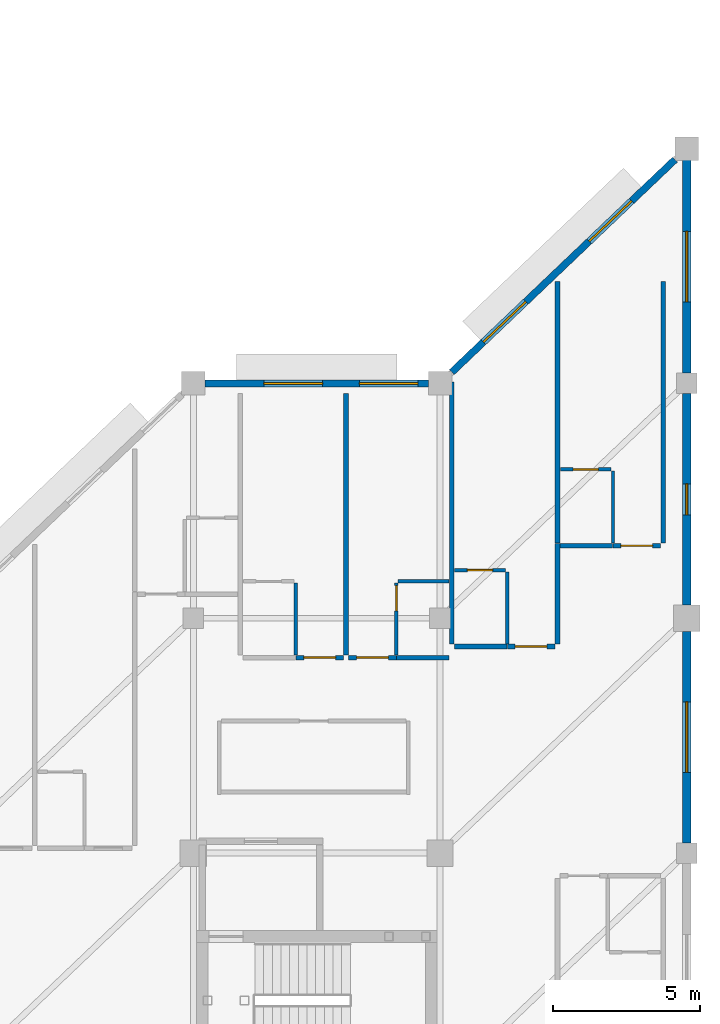
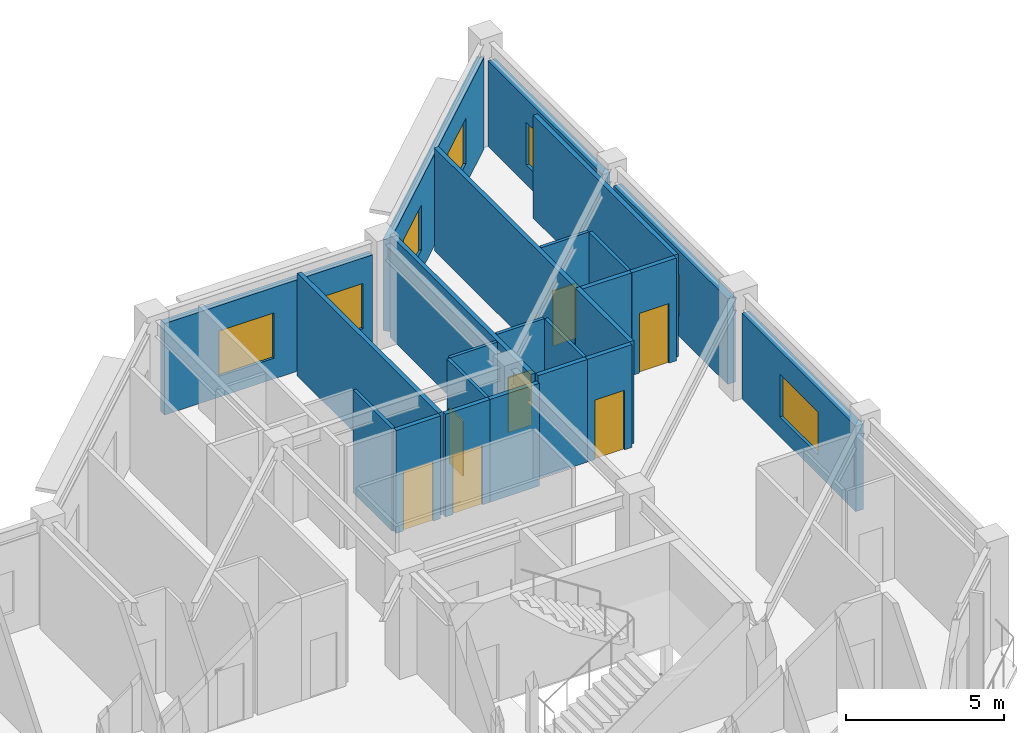
# One storey, part 16 of 22: 24 walls, 7 doors, 7 windows, 14 openings.
"""IFC4 building model written with IfcOpenShell, lengths in metres."""

from ifc_helpers import new_model, si_unit, direction, frame, frame_2d, origin, place, context, subcontext, project, spatial, rectangle, extrude, material, layer, layer_set, type_object, element, fill, save


model = new_model("IFC4")

# Units and contexts
model_context = context("Model", 3, precision=1e-05, world=origin(), true_north=direction((0.0, 1.0)))
body_context = subcontext(model_context, "Body", "Model", "MODEL_VIEW")
ifc_project = project(units=[si_unit("LENGTHUNIT", "METRE"), si_unit("AREAUNIT", "SQUARE_METRE"), si_unit("VOLUMEUNIT", "CUBIC_METRE"), si_unit("PLANEANGLEUNIT", "RADIAN"), si_unit("MASSUNIT", "GRAM", prefix="KILO")], contexts=[model_context])

# Site, building, storey
site_placement = place(None, origin())
site = spatial("IfcSite", under=ifc_project, at=site_placement, CompositionType="ELEMENT")
building_placement = place(site_placement, origin())
building = spatial("IfcBuilding", under=site, at=building_placement, Name="Naruveol Harbour Congress Hotel", CompositionType="ELEMENT")
storey_placement = place(building_placement, frame((0.0, 0.0, 21.0)))
storey = spatial("IfcBuildingStorey", under=building, at=storey_placement, Name="L04", CompositionType="ELEMENT", Elevation=21.0)

# Wall, opening, window
ifc_material_1 = material(Name="Precast concrete C40/50", Category="concrete")
ifc_layer_1 = layer(ifc_material_1, 0.280029296875)
ifc_layer_set_1 = layer_set([ifc_layer_1], Name="Precast concrete C40/50")
wall_type_1 = type_object("IfcWallType", Name="ARCHITECTURAL PRECAST FACADE WALL 280", PredefinedType="SOLIDWALL", material=ifc_layer_set_1)
wall_1_placement = place(storey_placement, frame((184.800048828125, 55.60009765625, 0.0), z_axis=(0.0, 0.0, 1.0), x_axis=(0.0, -1.0, 0.0)))
wall_1 = element("IfcWall", 1, at=wall_1_placement, inside=storey, type_object=wall_type_1, Name="Hotel east gable wall L04 EW-280", PredefinedType="SOLIDWALL", context=body_context, shape_type="SweptSolid", body=[
    extrude(rectangle(XDim=7.25, YDim=0.280029296875, at=frame_2d((3.625, 0.0))), origin(), (0.0, 0.0, 1.0), 3.300048828125),
])
opening_1_placement = place(wall_1_placement, frame((2.425048828125, 0.0, 0.75)))
opening_1 = element("IfcOpeningElement", 2, at=opening_1_placement, cuts=wall_1, Name="Opening W-07", PredefinedType="OPENING", context=body_context, shape_type="SweptSolid", body=[
    extrude(rectangle(XDim=2.39990234375, YDim=1.64990234375, at=frame_2d((1.199951171875, 0.824951171875))), frame((0.0, 0.14990234375, 0.0), z_axis=(0.0, -1.0, 0.0), x_axis=(1.0, 0.0, 0.0)), (0.0, 0.0, 1.0), 0.300048828125),
])
ifc_material_2 = material(Name="Low-E Triple Glazing in Thermal Aluminium", Category="aluminium")
window_type_1 = type_object("IfcWindowType", Name="CORNER SUITE WINDOW 2400X1650", PartitioningType="DOUBLE_PANEL_VERTICAL", PredefinedType="WINDOW", material=ifc_material_2)
window_1_placement = place(opening_1_placement, origin())
window_1 = element("IfcWindow", 3, at=window_1_placement, inside=storey, type_object=window_type_1, Name="Window W-07 #300", OverallHeight=1.64990234375, OverallWidth=2.39990234375, PartitioningType="DOUBLE_PANEL_VERTICAL", PredefinedType="WINDOW", context=body_context, shape_type="SweptSolid", body=[
    extrude(rectangle(XDim=2.39990234375, YDim=1.64990234375, at=frame_2d((1.199951171875, 0.824951171875))), frame((0.0, 0.030029296875, 0.0), z_axis=(0.0, -1.0, 0.0), x_axis=(1.0, 0.0, 0.0)), (0.0, 0.0, 1.0), 0.06005859375),
])
fill(opening_1, window_1)

wall_2_placement = place(storey_placement, frame((184.800048828125, 47.64990234375, 0.0), z_axis=(0.0, 0.0, 1.0), x_axis=(0.0, -1.0, 0.0)))
wall_2 = element("IfcWall", 4, at=wall_2_placement, inside=storey, type_object=wall_type_1, Name="Hotel east gable wall L04 EW-280", PredefinedType="SOLIDWALL", context=body_context, shape_type="SweptSolid", body=[
    extrude(rectangle(XDim=7.199951171875, YDim=0.280029296875, at=frame_2d((3.60009765625, 0.0))), origin(), (0.0, 0.0, 1.0), 3.300048828125),
])
opening_2_placement = place(wall_2_placement, frame((3.074951171875, 0.0, 0.75)))
opening_2 = element("IfcOpeningElement", 5, at=opening_2_placement, cuts=wall_2, Name="Opening W-26", PredefinedType="OPENING", context=body_context, shape_type="SweptSolid", body=[
    extrude(rectangle(XDim=1.050048828125, YDim=1.64990234375, at=frame_2d((0.52490234375, 0.824951171875))), frame((0.0, 0.14990234375, 0.0), z_axis=(0.0, -1.0, 0.0), x_axis=(1.0, 0.0, 0.0)), (0.0, 0.0, 1.0), 0.300048828125),
])
ifc_material_3 = material(Name="Low-E Triple Glazing in Thermal Aluminium", Category="aluminium")
window_type_2 = type_object("IfcWindowType", Name="CORRIDOR END VIEW WINDOW 1050X1650", PartitioningType="SINGLE_PANEL", PredefinedType="WINDOW", material=ifc_material_3)
window_2_placement = place(opening_2_placement, origin())
window_2 = element("IfcWindow", 6, at=window_2_placement, inside=storey, type_object=window_type_2, Name="Window W-26 #301", OverallHeight=1.64990234375, OverallWidth=1.050048828125, PartitioningType="SINGLE_PANEL", PredefinedType="WINDOW", context=body_context, shape_type="SweptSolid", body=[
    extrude(rectangle(XDim=1.050048828125, YDim=1.64990234375, at=frame_2d((0.52490234375, 0.824951171875))), frame((0.0, 0.030029296875, 0.0), z_axis=(0.0, -1.0, 0.0), x_axis=(1.0, 0.0, 0.0)), (0.0, 0.0, 1.0), 0.06005859375),
])
fill(opening_2, window_2)

wall_3_placement = place(storey_placement, frame((184.800048828125, 39.550048828125, 0.0), z_axis=(0.0, 0.0, 1.0), x_axis=(0.0, -1.0, 0.0)))
wall_3 = element("IfcWall", 7, at=wall_3_placement, inside=storey, type_object=wall_type_1, Name="Hotel east gable wall L04 EW-280", PredefinedType="SOLIDWALL", context=body_context, shape_type="SweptSolid", body=[
    extrude(rectangle(XDim=7.199951171875, YDim=0.280029296875, at=frame_2d((3.60009765625, 0.0))), origin(), (0.0, 0.0, 1.0), 3.300048828125),
])
opening_3_placement = place(wall_3_placement, frame((2.39990234375, 0.0, 0.75)))
opening_3 = element("IfcOpeningElement", 8, at=opening_3_placement, cuts=wall_3, Name="Opening W-07", PredefinedType="OPENING", context=body_context, shape_type="SweptSolid", body=[
    extrude(rectangle(XDim=2.39990234375, YDim=1.64990234375, at=frame_2d((1.199951171875, 0.824951171875))), frame((0.0, 0.14990234375, 0.0), z_axis=(0.0, -1.0, 0.0), x_axis=(1.0, 0.0, 0.0)), (0.0, 0.0, 1.0), 0.300048828125),
])
window_3_placement = place(opening_3_placement, origin())
window_3 = element("IfcWindow", 9, at=window_3_placement, inside=storey, type_object=window_type_1, Name="Window W-07 #302", OverallHeight=1.64990234375, OverallWidth=2.39990234375, PartitioningType="DOUBLE_PANEL_VERTICAL", PredefinedType="WINDOW", context=body_context, shape_type="SweptSolid", body=[
    extrude(rectangle(XDim=2.39990234375, YDim=1.64990234375, at=frame_2d((1.199951171875, 0.824951171875))), frame((0.0, 0.030029296875, 0.0), z_axis=(0.0, -1.0, 0.0), x_axis=(1.0, 0.0, 0.0)), (0.0, 0.0, 1.0), 0.06005859375),
])
fill(opening_3, window_3)

# Wall
ifc_material_4 = material(Name="Moisture-Resistant Gypsum Partition", Category="gypsum")
ifc_layer_2 = layer(ifc_material_4, 0.114990234375)
ifc_layer_set_2 = layer_set([ifc_layer_2], Name="Moisture-Resistant Gypsum Partition")
wall_type_2 = type_object("IfcWallType", Name="BATHROOM MOISTURE PARTITION WALL 115", PredefinedType="PARTITIONING", material=ifc_layer_set_2)
wall_4_placement = place(storey_placement, frame((171.489990234375, 38.75, 0.0), z_axis=(0.0, 0.0, 1.0), x_axis=(0.0, 1.0, 0.0)))
element("IfcWall", 10, at=wall_4_placement, inside=storey, type_object=wall_type_2, Name="Bathroom east wall 0511 PW-115", PredefinedType="PARTITIONING", context=body_context, shape_type="SweptSolid", body=[
    extrude(rectangle(XDim=2.449951171875, YDim=0.114990234375, at=frame_2d((1.22509765625, 0.0))), origin(), (0.0, 0.0, 1.0), 3.965087890625),
])

# Wall, opening, door
wall_5_placement = place(storey_placement, frame((174.909912109375, 38.75, 0.0), z_axis=(0.0, 0.0, 1.0), x_axis=(0.0, 1.0, 0.0)))
wall_5 = element("IfcWall", 11, at=wall_5_placement, inside=storey, type_object=wall_type_2, Name="Bathroom west wall 0512 PW-115", PredefinedType="PARTITIONING", context=body_context, shape_type="SweptSolid", body=[
    extrude(rectangle(XDim=2.449951171875, YDim=0.114990234375, at=frame_2d((1.22509765625, 0.0))), origin(), (0.0, 0.0, 1.0), 3.965087890625),
])
opening_4_placement = place(wall_5_placement, frame((1.5, 0.0, 0.0)))
opening_4 = element("IfcOpeningElement", 12, at=opening_4_placement, cuts=wall_5, Name="Opening BD-RM0512", PredefinedType="OPENING", context=body_context, shape_type="SweptSolid", body=[
    extrude(rectangle(XDim=0.860107421875, YDim=2.1201171875, at=frame_2d((0.43017578125, 1.06005859375))), frame((0.0, 0.0673828125, 0.0), z_axis=(0.0, -1.0, 0.0), x_axis=(1.0, 0.0, 0.0)), (0.0, 0.0, 1.0), 0.135009765625),
])
ifc_material_5 = material(Name="Timber & Steel Acoustic Leaf", Category="steel")
door_type_1 = type_object("IfcDoorType", Name="GUEST BATHROOM DOOR 860X2120", OperationType="NOTDEFINED", PredefinedType="DOOR", material=ifc_material_5)
door_1_placement = place(opening_4_placement, origin())
door_1 = element("IfcDoor", 13, at=door_1_placement, inside=storey, type_object=door_type_1, Name="Bathroom Door 0512", OperationType="SINGLE_SWING_RIGHT", OverallHeight=2.1201171875, OverallWidth=0.860107421875, PredefinedType="DOOR", context=body_context, shape_type="SweptSolid", body=[
    extrude(rectangle(XDim=0.860107421875, YDim=2.1201171875, at=frame_2d((0.43017578125, 1.06005859375))), frame((0.0, 0.02490234375, 0.0), z_axis=(0.0, -1.0, 0.0), x_axis=(1.0, 0.0, 0.0)), (0.0, 0.0, 1.0), 0.050048828125),
])
fill(opening_4, door_1)

# Walls
wall_6_placement = place(storey_placement, frame((174.969970703125, 41.260009765625, 0.0), z_axis=(0.0, 0.0, 1.0), x_axis=(1.0, 0.0, 0.0)))
element("IfcWall", 14, at=wall_6_placement, inside=storey, type_object=wall_type_2, Name="Bathroom north wall 0512 PW-115", PredefinedType="PARTITIONING", context=body_context, shape_type="SweptSolid", body=[
    extrude(rectangle(XDim=1.72998046875, YDim=0.114990234375, at=frame_2d((0.864990234375, 0.0))), origin(), (0.0, 0.0, 1.0), 3.965087890625),
])
wall_7_placement = place(storey_placement, frame((178.68994140625, 39.1298828125, 0.0), z_axis=(0.0, 0.0, 1.0), x_axis=(0.0, 1.0, 0.0)))
element("IfcWall", 15, at=wall_7_placement, inside=storey, type_object=wall_type_2, Name="Bathroom east wall 0513 PW-115", PredefinedType="PARTITIONING", context=body_context, shape_type="SweptSolid", body=[
    extrude(rectangle(XDim=2.4501953125, YDim=0.114990234375, at=frame_2d((1.22509765625, 0.0))), origin(), (0.0, 0.0, 1.0), 3.965087890625),
])

# Wall, opening, door
wall_8_placement = place(storey_placement, frame((176.89990234375, 41.639892578125, 0.0), z_axis=(0.0, 0.0, 1.0), x_axis=(1.0, 0.0, 0.0)))
wall_8 = element("IfcWall", 16, at=wall_8_placement, inside=storey, type_object=wall_type_2, Name="Bathroom north wall 0513 PW-115", PredefinedType="PARTITIONING", context=body_context, shape_type="SweptSolid", body=[
    extrude(rectangle(XDim=1.72998046875, YDim=0.114990234375, at=frame_2d((0.864990234375, 0.0))), origin(), (0.0, 0.0, 1.0), 3.965087890625),
])
opening_5_placement = place(wall_8_placement, frame((0.43505859375, 0.0, 0.0)))
opening_5 = element("IfcOpeningElement", 17, at=opening_5_placement, cuts=wall_8, Name="Opening BD-RM0513", PredefinedType="OPENING", context=body_context, shape_type="SweptSolid", body=[
    extrude(rectangle(XDim=0.860107421875, YDim=2.1201171875, at=frame_2d((0.43017578125, 1.06005859375))), frame((0.0, 0.0673828125, 0.0), z_axis=(0.0, -1.0, 0.0), x_axis=(1.0, 0.0, 0.0)), (0.0, 0.0, 1.0), 0.135009765625),
])
door_2_placement = place(opening_5_placement, origin())
door_2 = element("IfcDoor", 18, at=door_2_placement, inside=storey, type_object=door_type_1, Name="Bathroom Door 0513", OperationType="SINGLE_SWING_RIGHT", OverallHeight=2.1201171875, OverallWidth=0.860107421875, PredefinedType="DOOR", context=body_context, shape_type="SweptSolid", body=[
    extrude(rectangle(XDim=0.860107421875, YDim=2.1201171875, at=frame_2d((0.43017578125, 1.06005859375))), frame((0.0, 0.02490234375, 0.0), z_axis=(0.0, -1.0, 0.0), x_axis=(1.0, 0.0, 0.0)), (0.0, 0.0, 1.0), 0.050048828125),
])
fill(opening_5, door_2)

# Wall
wall_9_placement = place(storey_placement, frame((182.2900390625, 42.56005859375, 0.0), z_axis=(0.0, 0.0, 1.0), x_axis=(0.0, 1.0, 0.0)))
element("IfcWall", 19, at=wall_9_placement, inside=storey, type_object=wall_type_2, Name="Bathroom east wall 0514 PW-115", PredefinedType="PARTITIONING", context=body_context, shape_type="SweptSolid", body=[
    extrude(rectangle(XDim=2.449951171875, YDim=0.114990234375, at=frame_2d((1.22509765625, 0.0))), origin(), (0.0, 0.0, 1.0), 3.965087890625),
])

# Wall, opening, door
wall_10_placement = place(storey_placement, frame((180.5, 45.070068359375, 0.0), z_axis=(0.0, 0.0, 1.0), x_axis=(1.0, 0.0, 0.0)))
wall_10 = element("IfcWall", 20, at=wall_10_placement, inside=storey, type_object=wall_type_2, Name="Bathroom north wall 0514 PW-115", PredefinedType="PARTITIONING", context=body_context, shape_type="SweptSolid", body=[
    extrude(rectangle(XDim=1.72998046875, YDim=0.114990234375, at=frame_2d((0.864990234375, 0.0))), origin(), (0.0, 0.0, 1.0), 3.965087890625),
])
opening_6_placement = place(wall_10_placement, frame((0.43505859375, 0.0, 0.0)))
opening_6 = element("IfcOpeningElement", 21, at=opening_6_placement, cuts=wall_10, Name="Opening BD-RM0514", PredefinedType="OPENING", context=body_context, shape_type="SweptSolid", body=[
    extrude(rectangle(XDim=0.860107421875, YDim=2.1201171875, at=frame_2d((0.43017578125, 1.06005859375))), frame((0.0, 0.0673828125, 0.0), z_axis=(0.0, -1.0, 0.0), x_axis=(1.0, 0.0, 0.0)), (0.0, 0.0, 1.0), 0.135009765625),
])
door_3_placement = place(opening_6_placement, origin())
door_3 = element("IfcDoor", 22, at=door_3_placement, inside=storey, type_object=door_type_1, Name="Bathroom Door 0514", OperationType="SINGLE_SWING_RIGHT", OverallHeight=2.1201171875, OverallWidth=0.860107421875, PredefinedType="DOOR", context=body_context, shape_type="SweptSolid", body=[
    extrude(rectangle(XDim=0.860107421875, YDim=2.1201171875, at=frame_2d((0.43017578125, 1.06005859375))), frame((0.0, 0.02490234375, 0.0), z_axis=(0.0, -1.0, 0.0), x_axis=(1.0, 0.0, 0.0)), (0.0, 0.0, 1.0), 0.050048828125),
])
fill(opening_6, door_3)

ifc_material_6 = material(Name="Autoclaved Aerated Concrete Block", Category="concrete")
ifc_layer_3 = layer(ifc_material_6, 0.159912109375)
ifc_layer_set_3 = layer_set([ifc_layer_3], Name="Autoclaved Aerated Concrete Block")
wall_type_3 = type_object("IfcWallType", Name="HOTEL PARTY AND CORRIDOR WALL 160 EI60", PredefinedType="PARTITIONING", material=ifc_layer_set_3)
wall_11_placement = place(storey_placement, frame((171.489990234375, 38.659912109375, 0.0), z_axis=(0.0, 0.0, 1.0), x_axis=(1.0, 0.0, 0.0)))
wall_11 = element("IfcWall", 23, at=wall_11_placement, inside=storey, type_object=wall_type_3, Name="Corridor entry wall 0511 PW-160", PredefinedType="PARTITIONING", context=body_context, shape_type="SweptSolid", body=[
    extrude(rectangle(XDim=1.6201171875, YDim=0.159912109375, at=frame_2d((0.81005859375, 0.0))), origin(), (0.0, 0.0, 1.0), 3.965087890625),
])
opening_7_placement = place(wall_11_placement, frame((0.27001953125, 0.0, 0.0)))
opening_7 = element("IfcOpeningElement", 24, at=opening_7_placement, cuts=wall_11, Name="Opening FD-RM0511", PredefinedType="OPENING", context=body_context, shape_type="SweptSolid", body=[
    extrude(rectangle(XDim=1.080078125, YDim=2.300048828125, at=frame_2d((0.5400390625, 1.14990234375))), frame((0.0, 0.08984375, 0.0), z_axis=(0.0, -1.0, 0.0), x_axis=(1.0, 0.0, 0.0)), (0.0, 0.0, 1.0), 0.179931640625),
])
ifc_material_7 = material(Name="Timber & Steel Acoustic Leaf", Category="steel")
door_type_2 = type_object("IfcDoorType", Name="SUITE ENTRANCE FIRE DOOR 1080X2300", OperationType="NOTDEFINED", PredefinedType="DOOR", material=ifc_material_7)
door_4_placement = place(opening_7_placement, origin())
door_4 = element("IfcDoor", 25, at=door_4_placement, inside=storey, type_object=door_type_2, Name="Hotel Room Door 0511", OperationType="SINGLE_SWING_LEFT", OverallHeight=2.300048828125, OverallWidth=1.080078125, PredefinedType="DOOR", context=body_context, shape_type="SweptSolid", body=[
    extrude(rectangle(XDim=1.080078125, YDim=2.300048828125, at=frame_2d((0.5400390625, 1.14990234375))), frame((0.0, 0.02490234375, 0.0), z_axis=(0.0, -1.0, 0.0), x_axis=(1.0, 0.0, 0.0)), (0.0, 0.0, 1.0), 0.050048828125),
])
fill(opening_7, door_4)

wall_12_placement = place(storey_placement, frame((173.2900390625, 38.659912109375, 0.0), z_axis=(0.0, 0.0, 1.0), x_axis=(1.0, 0.0, 0.0)))
wall_12 = element("IfcWall", 26, at=wall_12_placement, inside=storey, type_object=wall_type_3, Name="Corridor entry wall 0512 PW-160", PredefinedType="PARTITIONING", context=body_context, shape_type="SweptSolid", body=[
    extrude(rectangle(XDim=1.619873046875, YDim=0.159912109375, at=frame_2d((0.81005859375, 0.0))), origin(), (0.0, 0.0, 1.0), 3.965087890625),
])
opening_8_placement = place(wall_12_placement, frame((0.27001953125, 0.0, 0.0)))
opening_8 = element("IfcOpeningElement", 27, at=opening_8_placement, cuts=wall_12, Name="Opening FD-RM0512", PredefinedType="OPENING", context=body_context, shape_type="SweptSolid", body=[
    extrude(rectangle(XDim=1.080078125, YDim=2.300048828125, at=frame_2d((0.5400390625, 1.14990234375))), frame((0.0, 0.08984375, 0.0), z_axis=(0.0, -1.0, 0.0), x_axis=(1.0, 0.0, 0.0)), (0.0, 0.0, 1.0), 0.179931640625),
])
door_5_placement = place(opening_8_placement, origin())
door_5 = element("IfcDoor", 28, at=door_5_placement, inside=storey, type_object=door_type_2, Name="Hotel Room Door 0512", OperationType="SINGLE_SWING_LEFT", OverallHeight=2.300048828125, OverallWidth=1.080078125, PredefinedType="DOOR", context=body_context, shape_type="SweptSolid", body=[
    extrude(rectangle(XDim=1.080078125, YDim=2.300048828125, at=frame_2d((0.5400390625, 1.14990234375))), frame((0.0, 0.02490234375, 0.0), z_axis=(0.0, -1.0, 0.0), x_axis=(1.0, 0.0, 0.0)), (0.0, 0.0, 1.0), 0.050048828125),
])
fill(opening_8, door_5)

# Walls
wall_13_placement = place(storey_placement, frame((174.919921875, 38.659912109375, 0.0), z_axis=(0.0, 0.0, 1.0), x_axis=(1.0, 0.0, 0.0)))
element("IfcWall", 29, at=wall_13_placement, inside=storey, type_object=wall_type_3, Name="Corridor wall 0512B PW-160", PredefinedType="PARTITIONING", context=body_context, shape_type="SweptSolid", body=[
    extrude(rectangle(XDim=1.7900390625, YDim=0.159912109375, at=frame_2d((0.89501953125, 0.0))), origin(), (0.0, 0.0, 1.0), 3.965087890625),
])
wall_14_placement = place(storey_placement, frame((173.199951171875, 38.75, 0.0), z_axis=(0.0, 0.0, 1.0), x_axis=(0.0, 1.0, 0.0)))
element("IfcWall", 30, at=wall_14_placement, inside=storey, type_object=wall_type_3, Name="Hotel party wall 0512 PW-160", PredefinedType="PARTITIONING", context=body_context, shape_type="SweptSolid", body=[
    extrude(rectangle(XDim=8.909912109375, YDim=0.159912109375, at=frame_2d((4.455078125, 0.0))), origin(), (0.0, 0.0, 1.0), 3.965087890625),
])
wall_15_placement = place(storey_placement, frame((176.889892578125, 39.0400390625, 0.0), z_axis=(0.0, 0.0, 1.0), x_axis=(1.0, 0.0, 0.0)))
element("IfcWall", 31, at=wall_15_placement, inside=storey, type_object=wall_type_3, Name="Corridor wall 0513B PW-160", PredefinedType="PARTITIONING", context=body_context, shape_type="SweptSolid", body=[
    extrude(rectangle(XDim=1.7900390625, YDim=0.159912109375, at=frame_2d((0.89501953125, 0.0))), origin(), (0.0, 0.0, 1.0), 3.965087890625),
])

# Wall, opening, door
wall_16_placement = place(storey_placement, frame((178.68994140625, 39.0400390625, 0.0), z_axis=(0.0, 0.0, 1.0), x_axis=(1.0, 0.0, 0.0)))
wall_16 = element("IfcWall", 32, at=wall_16_placement, inside=storey, type_object=wall_type_3, Name="Corridor entry wall 0513 PW-160", PredefinedType="PARTITIONING", context=body_context, shape_type="SweptSolid", body=[
    extrude(rectangle(XDim=1.6201171875, YDim=0.159912109375, at=frame_2d((0.81005859375, 0.0))), origin(), (0.0, 0.0, 1.0), 3.965087890625),
])
opening_9_placement = place(wall_16_placement, frame((0.27001953125, 0.0, 0.0)))
opening_9 = element("IfcOpeningElement", 33, at=opening_9_placement, cuts=wall_16, Name="Opening FD-RM0513", PredefinedType="OPENING", context=body_context, shape_type="SweptSolid", body=[
    extrude(rectangle(XDim=1.080078125, YDim=2.300048828125, at=frame_2d((0.5400390625, 1.14990234375))), frame((0.0, 0.08984375, 0.0), z_axis=(0.0, -1.0, 0.0), x_axis=(1.0, 0.0, 0.0)), (0.0, 0.0, 1.0), 0.179931640625),
])
door_6_placement = place(opening_9_placement, origin())
door_6 = element("IfcDoor", 34, at=door_6_placement, inside=storey, type_object=door_type_2, Name="Hotel Room Door 0513", OperationType="SINGLE_SWING_LEFT", OverallHeight=2.300048828125, OverallWidth=1.080078125, PredefinedType="DOOR", context=body_context, shape_type="SweptSolid", body=[
    extrude(rectangle(XDim=1.080078125, YDim=2.300048828125, at=frame_2d((0.5400390625, 1.14990234375))), frame((0.0, 0.02490234375, 0.0), z_axis=(0.0, -1.0, 0.0), x_axis=(1.0, 0.0, 0.0)), (0.0, 0.0, 1.0), 0.050048828125),
])
fill(opening_9, door_6)

# Walls
wall_17_placement = place(storey_placement, frame((176.800048828125, 39.1298828125, 0.0), z_axis=(0.0, 0.0, 1.0), x_axis=(0.0, 1.0, 0.0)))
element("IfcWall", 35, at=wall_17_placement, inside=storey, type_object=wall_type_3, Name="Hotel party wall 0513 PW-160", PredefinedType="PARTITIONING", context=body_context, shape_type="SweptSolid", body=[
    extrude(rectangle(XDim=8.91015625, YDim=0.159912109375, at=frame_2d((4.455078125, 0.0))), origin(), (0.0, 0.0, 1.0), 3.965087890625),
])
wall_18_placement = place(storey_placement, frame((180.39990234375, 39.1298828125, 0.0), z_axis=(0.0, 0.0, 1.0), x_axis=(0.0, 1.0, 0.0)))
element("IfcWall", 36, at=wall_18_placement, inside=storey, type_object=wall_type_3, Name="Hotel end party wall 0513 PW-160", PredefinedType="PARTITIONING", context=body_context, shape_type="SweptSolid", body=[
    extrude(rectangle(XDim=3.420166015625, YDim=0.159912109375, at=frame_2d((1.7099609375, 0.0))), origin(), (0.0, 0.0, 1.0), 3.965087890625),
])
wall_19_placement = place(storey_placement, frame((180.489990234375, 42.469970703125, 0.0), z_axis=(0.0, 0.0, 1.0), x_axis=(1.0, 0.0, 0.0)))
element("IfcWall", 37, at=wall_19_placement, inside=storey, type_object=wall_type_3, Name="Corridor wall 0514B PW-160", PredefinedType="PARTITIONING", context=body_context, shape_type="SweptSolid", body=[
    extrude(rectangle(XDim=1.7900390625, YDim=0.159912109375, at=frame_2d((0.89501953125, 0.0))), origin(), (0.0, 0.0, 1.0), 3.965087890625),
])

# Wall, opening, door
wall_20_placement = place(storey_placement, frame((182.2900390625, 42.469970703125, 0.0), z_axis=(0.0, 0.0, 1.0), x_axis=(1.0, 0.0, 0.0)))
wall_20 = element("IfcWall", 38, at=wall_20_placement, inside=storey, type_object=wall_type_3, Name="Corridor entry wall 0514 PW-160", PredefinedType="PARTITIONING", context=body_context, shape_type="SweptSolid", body=[
    extrude(rectangle(XDim=1.619873046875, YDim=0.159912109375, at=frame_2d((0.81005859375, 0.0))), origin(), (0.0, 0.0, 1.0), 3.965087890625),
])
opening_10_placement = place(wall_20_placement, frame((0.27001953125, 0.0, 0.0)))
opening_10 = element("IfcOpeningElement", 39, at=opening_10_placement, cuts=wall_20, Name="Opening FD-RM0514", PredefinedType="OPENING", context=body_context, shape_type="SweptSolid", body=[
    extrude(rectangle(XDim=1.080078125, YDim=2.300048828125, at=frame_2d((0.5400390625, 1.14990234375))), frame((0.0, 0.08984375, 0.0), z_axis=(0.0, -1.0, 0.0), x_axis=(1.0, 0.0, 0.0)), (0.0, 0.0, 1.0), 0.179931640625),
])
door_7_placement = place(opening_10_placement, origin())
door_7 = element("IfcDoor", 40, at=door_7_placement, inside=storey, type_object=door_type_2, Name="Hotel Room Door 0514", OperationType="SINGLE_SWING_LEFT", OverallHeight=2.300048828125, OverallWidth=1.080078125, PredefinedType="DOOR", context=body_context, shape_type="SweptSolid", body=[
    extrude(rectangle(XDim=1.080078125, YDim=2.300048828125, at=frame_2d((0.5400390625, 1.14990234375))), frame((0.0, 0.02490234375, 0.0), z_axis=(0.0, -1.0, 0.0), x_axis=(1.0, 0.0, 0.0)), (0.0, 0.0, 1.0), 0.050048828125),
])
fill(opening_10, door_7)

# Walls
for number, where, z_axis, x_axis, name in (
    (41, (180.39990234375, 42.56005859375, 0.0), (0.0, 0.0, 1.0), (0.0, 1.0, 0.0), "Hotel party wall 0514 PW-160"),
    (42, (184.0, 42.56005859375, 0.0), (0.0, 0.0, 1.0), (0.0, 1.0, 0.0), "Hotel end party wall 0514 PW-160"),
):
    element("IfcWall", number, at=place(storey_placement, frame(where, z_axis=z_axis, x_axis=x_axis)), inside=storey, type_object=wall_type_3, Name=name, PredefinedType="PARTITIONING", context=body_context, shape_type="SweptSolid", body=[
        extrude(rectangle(XDim=8.909912109375, YDim=0.159912109375, at=frame_2d((4.455078125, 0.0))), origin(), (0.0, 0.0, 1.0), 3.965087890625),
    ])

# Wall, openings, windows
ifc_material_8 = material(Name="Concrete C40/50", Category="concrete")
ifc_layer_4 = layer(ifc_material_8, 0.239990234375)
ifc_layer_set_4 = layer_set([ifc_layer_4], Name="Concrete C40/50")
wall_type_4 = type_object("IfcWallType", Name="INSULATED HOTEL SPANDREL WALL 240", PredefinedType="SOLIDWALL", material=ifc_layer_set_4)
wall_21_placement = place(storey_placement, frame((168.39990234375, 48.0, 0.0), z_axis=(0.0, 0.0, 1.0), x_axis=(1.0, 0.0, 0.0)))
wall_21 = element("IfcWall", 43, at=wall_21_placement, inside=storey, type_object=wall_type_4, Name="Hotel north bay wall L04 EW-240", PredefinedType="SOLIDWALL", context=body_context, shape_type="SweptSolid", body=[
    extrude(rectangle(XDim=7.60009765625, YDim=0.239990234375, at=frame_2d((3.800048828125, 0.0))), origin(), (0.0, 0.0, 1.0), 3.530029296875),
])
opening_11_placement = place(wall_21_placement, frame((2.0, 0.0, 0.800048828125)))
opening_11 = element("IfcOpeningElement", 44, at=opening_11_placement, cuts=wall_21, Name="Opening W-05", PredefinedType="OPENING", context=body_context, shape_type="SweptSolid", body=[
    extrude(rectangle(XDim=2.0, YDim=1.75, at=frame_2d((1.0, 0.875))), frame((0.0, 0.1298828125, 0.0), z_axis=(0.0, -1.0, 0.0), x_axis=(1.0, 0.0, 0.0)), (0.0, 0.0, 1.0), 0.260009765625),
])
opening_12_placement = place(wall_21_placement, frame((5.25, 0.0, 0.800048828125)))
opening_12 = element("IfcOpeningElement", 45, at=opening_12_placement, cuts=wall_21, Name="Opening W-05", PredefinedType="OPENING", context=body_context, shape_type="SweptSolid", body=[
    extrude(rectangle(XDim=2.0, YDim=1.75, at=frame_2d((1.0, 0.875))), frame((0.0, 0.1298828125, 0.0), z_axis=(0.0, -1.0, 0.0), x_axis=(1.0, 0.0, 0.0)), (0.0, 0.0, 1.0), 0.260009765625),
])
ifc_material_9 = material(Name="Low-E Triple Glazing in Thermal Aluminium", Category="aluminium")
window_type_3 = type_object("IfcWindowType", Name="GARDEN SUITE WINDOW 2000X1750", PartitioningType="DOUBLE_PANEL_VERTICAL", PredefinedType="WINDOW", material=ifc_material_9)
window_4_placement = place(opening_11_placement, origin())
window_4 = element("IfcWindow", 46, at=window_4_placement, inside=storey, type_object=window_type_3, Name="Window W-05 #295", OverallHeight=1.75, OverallWidth=2.0, PartitioningType="DOUBLE_PANEL_VERTICAL", PredefinedType="WINDOW", context=body_context, shape_type="SweptSolid", body=[
    extrude(rectangle(XDim=2.0, YDim=1.75, at=frame_2d((1.0, 0.875))), frame((0.0, 0.030029296875, 0.0), z_axis=(0.0, -1.0, 0.0), x_axis=(1.0, 0.0, 0.0)), (0.0, 0.0, 1.0), 0.06005859375),
])
fill(opening_11, window_4)
window_5_placement = place(opening_12_placement, origin())
window_5 = element("IfcWindow", 47, at=window_5_placement, inside=storey, type_object=window_type_3, Name="Window W-05 #296", OverallHeight=1.75, OverallWidth=2.0, PartitioningType="DOUBLE_PANEL_VERTICAL", PredefinedType="WINDOW", context=body_context, shape_type="SweptSolid", body=[
    extrude(rectangle(XDim=2.0, YDim=1.75, at=frame_2d((1.0, 0.875))), frame((0.0, 0.030029296875, 0.0), z_axis=(0.0, -1.0, 0.0), x_axis=(1.0, 0.0, 0.0)), (0.0, 0.0, 1.0), 0.06005859375),
])
fill(opening_12, window_5)

wall_22_placement = place(storey_placement, frame((176.800048828125, 48.381103515625, 0.0), z_axis=(0.0, 0.0, 1.0), x_axis=(0.724145676014, 0.689647040094, 0.0)))
wall_22 = element("IfcWall", 48, at=wall_22_placement, inside=storey, type_object=wall_type_4, Name="Hotel north bay wall L04 EW-240", PredefinedType="SOLIDWALL", context=body_context, shape_type="SweptSolid", body=[
    extrude(rectangle(XDim=10.494873046875, YDim=0.239990234375, at=frame_2d((5.24755859375, 0.0))), origin(), (0.0, 0.0, 1.0), 3.530029296875),
])
opening_13_placement = place(wall_22_placement, frame((1.486083984375, 0.0, 0.800048828125)))
opening_13 = element("IfcOpeningElement", 49, at=opening_13_placement, cuts=wall_22, Name="Opening W-05", PredefinedType="OPENING", context=body_context, shape_type="SweptSolid", body=[
    extrude(rectangle(XDim=2.0, YDim=1.75, at=frame_2d((1.0, 0.875))), frame((0.0, 0.1298828125, 0.0), z_axis=(0.0, -1.0, 0.0), x_axis=(1.0, 0.0, 0.0)), (0.0, 0.0, 1.0), 0.260009765625),
])
opening_14_placement = place(wall_22_placement, frame((6.45703125, 0.0, 0.800048828125)))
opening_14 = element("IfcOpeningElement", 50, at=opening_14_placement, cuts=wall_22, Name="Opening W-05", PredefinedType="OPENING", context=body_context, shape_type="SweptSolid", body=[
    extrude(rectangle(XDim=2.0, YDim=1.75, at=frame_2d((1.0, 0.875))), frame((0.0, 0.1298828125, 0.0), z_axis=(0.0, -1.0, 0.0), x_axis=(1.0, 0.0, 0.0)), (0.0, 0.0, 1.0), 0.260009765625),
])
window_6_placement = place(opening_13_placement, origin())
window_6 = element("IfcWindow", 51, at=window_6_placement, inside=storey, type_object=window_type_3, Name="Window W-05 #298", OverallHeight=1.75, OverallWidth=2.0, PartitioningType="DOUBLE_PANEL_VERTICAL", PredefinedType="WINDOW", context=body_context, shape_type="SweptSolid", body=[
    extrude(rectangle(XDim=2.0, YDim=1.75, at=frame_2d((1.0, 0.875))), frame((0.0, 0.030029296875, 0.0), z_axis=(0.0, -1.0, 0.0), x_axis=(1.0, 0.0, 0.0)), (0.0, 0.0, 1.0), 0.06005859375),
])
fill(opening_13, window_6)
window_7_placement = place(opening_14_placement, origin())
window_7 = element("IfcWindow", 52, at=window_7_placement, inside=storey, type_object=window_type_3, Name="Window W-05 #299", OverallHeight=1.75, OverallWidth=2.0, PartitioningType="DOUBLE_PANEL_VERTICAL", PredefinedType="WINDOW", context=body_context, shape_type="SweptSolid", body=[
    extrude(rectangle(XDim=2.0, YDim=1.75, at=frame_2d((1.0, 0.875))), frame((0.0, 0.030029296875, 0.0), z_axis=(0.0, -1.0, 0.0), x_axis=(1.0, 0.0, 0.0)), (0.0, 0.0, 1.0), 0.06005859375),
])
fill(opening_14, window_7)

save(model, "model.ifc")
